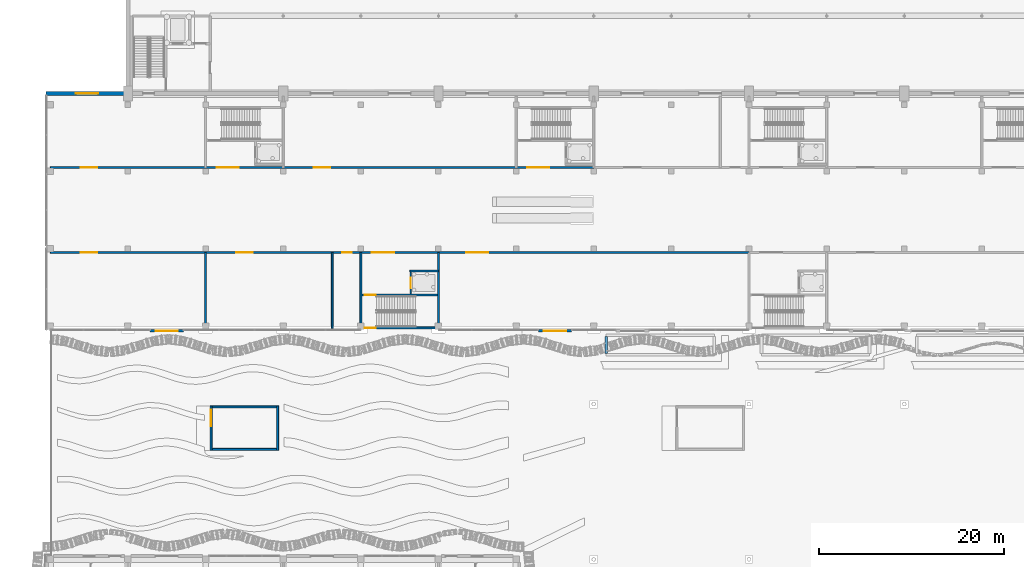
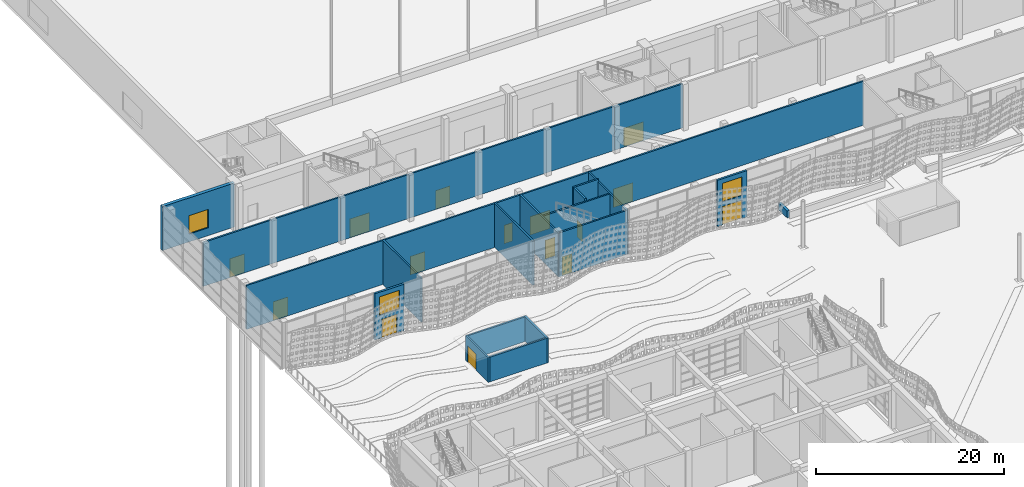
# One storey, part 103 of 210: 24 walls, 15 doors, 3 windows, 18 openings.
"""IFC4 building model written with IfcOpenShell, lengths in metres."""

from ifc_helpers import new_model, si_unit, direction, frame, frame_2d, origin, place, context, subcontext, project, spatial, rectangle, extrude, material, layer, layer_set, type_object, element, fill, save


model = new_model("IFC4")

# Units and contexts
model_context = context("Model", 3, precision=1e-05, world=origin(), true_north=direction((0.0, 1.0)))
body_context = subcontext(model_context, "Body", "Model", "MODEL_VIEW")
ifc_project = project(units=[si_unit("LENGTHUNIT", "METRE"), si_unit("AREAUNIT", "SQUARE_METRE"), si_unit("VOLUMEUNIT", "CUBIC_METRE"), si_unit("PLANEANGLEUNIT", "RADIAN"), si_unit("MASSUNIT", "GRAM", prefix="KILO")], contexts=[model_context])

# Site, building, storey
site_placement = place(None, origin())
site = spatial("IfcSite", under=ifc_project, at=site_placement, CompositionType="ELEMENT")
building_placement = place(site_placement, origin())
building = spatial("IfcBuilding", under=site, at=building_placement, Name="Rain Tree Exposition and Congress Centre", CompositionType="ELEMENT")
storey_placement = place(building_placement, origin())
storey = spatial("IfcBuildingStorey", under=building, at=storey_placement, Name="L00", CompositionType="ELEMENT", Elevation=0.0)

# Wall
ifc_material_1 = material(Name="Hollow blockwork partition", Category="masonry")
ifc_layer_1 = layer(ifc_material_1, 0.199951171875)
ifc_layer_set_1 = layer_set([ifc_layer_1], Name="Hollow blockwork partition")
wall_type_1 = type_object("IfcWallType", Name="Concourse blockwork partition 200", PredefinedType="PARTITIONING", material=ifc_layer_set_1)
wall_1_placement = place(storey_placement, frame((16.800048828125, 75.39990234375, 0.0), z_axis=(0.0, 0.0, 1.0), x_axis=(0.0, 1.0, 0.0)))
element("IfcWall", 1, at=wall_1_placement, inside=storey, type_object=wall_type_1, Name="Concourse partition L00", PredefinedType="PARTITIONING", context=body_context, shape_type="SweptSolid", body=[
    extrude(rectangle(XDim=8.2001953125, YDim=0.199951171875, at=frame_2d((4.10009765625, 0.0))), origin(), (0.0, 0.0, 1.0), 5.699951171875),
])

# Wall, opening, door
wall_2_placement = place(storey_placement, frame((0.0, 83.60009765625, 0.0), z_axis=(0.0, 0.0, 1.0), x_axis=(1.0, 0.0, 0.0)))
wall_2 = element("IfcWall", 2, at=wall_2_placement, inside=storey, type_object=wall_type_1, Name="Concourse room front L00", PredefinedType="PARTITIONING", context=body_context, shape_type="SweptSolid", body=[
    extrude(rectangle(XDim=16.800048828125, YDim=0.199951171875, at=frame_2d((8.39990234375, 0.0))), origin(), (0.0, 0.0, 1.0), 5.699951171875),
])
opening_1_placement = place(wall_2_placement, frame((3.300048828125, 0.0, 0.0)))
opening_1 = element("IfcOpeningElement", 3, at=opening_1_placement, cuts=wall_2, Name="Opening DC020", PredefinedType="OPENING", context=body_context, shape_type="SweptSolid", body=[
    extrude(rectangle(XDim=1.800048828125, YDim=2.39990234375, at=frame_2d((0.89990234375, 1.199951171875))), frame((0.0, 0.10009765625, 0.0), z_axis=(0.0, -1.0, 0.0), x_axis=(1.0, 0.0, 0.0)), (0.0, 0.0, 1.0), 0.199951171875),
])
ifc_material_2 = material(Name="Aluminium framed glazed door", Category="aluminium")
door_type_1 = type_object("IfcDoorType", Name="Concourse double door 1800x2400", OperationType="DOUBLE_DOOR_DOUBLE_SWING", PredefinedType="DOOR", material=ifc_material_2)
door_1_placement = place(opening_1_placement, origin())
door_1 = element("IfcDoor", 4, at=door_1_placement, inside=storey, type_object=door_type_1, Name="Room door DC020", OperationType="DOUBLE_DOOR_DOUBLE_SWING", OverallHeight=2.39990234375, OverallWidth=1.800048828125, PredefinedType="DOOR", context=body_context, shape_type="SweptSolid", body=[
    extrude(rectangle(XDim=1.800048828125, YDim=2.39990234375, at=frame_2d((0.89990234375, 1.199951171875))), frame((0.0, 0.02490234375, 0.0), z_axis=(0.0, -1.0, 0.0), x_axis=(1.0, 0.0, 0.0)), (0.0, 0.0, 1.0), 0.050048828125),
])
fill(opening_1, door_1)

# Wall, openings, doors
wall_3_placement = place(storey_placement, frame((16.800048828125, 83.60009765625, 0.0), z_axis=(0.0, 0.0, 1.0), x_axis=(1.0, 0.0, 0.0)))
wall_3 = element("IfcWall", 5, at=wall_3_placement, inside=storey, type_object=wall_type_1, Name="Concourse room front L00", PredefinedType="PARTITIONING", context=body_context, shape_type="SweptSolid", body=[
    extrude(rectangle(XDim=16.800048828125, YDim=0.199951171875, at=frame_2d((8.39990234375, 0.0))), origin(), (0.0, 0.0, 1.0), 5.699951171875),
])
opening_2_placement = place(wall_3_placement, frame((3.300048828125, 0.0, 0.0)))
opening_2 = element("IfcOpeningElement", 6, at=opening_2_placement, cuts=wall_3, Name="Opening DC021", PredefinedType="OPENING", context=body_context, shape_type="SweptSolid", body=[
    extrude(rectangle(XDim=1.800048828125, YDim=2.39990234375, at=frame_2d((0.89990234375, 1.199951171875))), frame((0.0, 0.10009765625, 0.0), z_axis=(0.0, -1.0, 0.0), x_axis=(1.0, 0.0, 0.0)), (0.0, 0.0, 1.0), 0.199951171875),
])
opening_3_placement = place(wall_3_placement, frame((14.800048828125, 0.0, 0.0)))
opening_3 = element("IfcOpeningElement", 7, at=opening_3_placement, cuts=wall_3, Name="Opening DC022", PredefinedType="OPENING", context=body_context, shape_type="SweptSolid", body=[
    extrude(rectangle(XDim=1.0, YDim=2.39990234375, at=frame_2d((0.5, 1.199951171875))), frame((0.0, 0.10009765625, 0.0), z_axis=(0.0, -1.0, 0.0), x_axis=(1.0, 0.0, 0.0)), (0.0, 0.0, 1.0), 0.199951171875),
])
door_2_placement = place(opening_2_placement, origin())
door_2 = element("IfcDoor", 8, at=door_2_placement, inside=storey, type_object=door_type_1, Name="Room door DC021", OperationType="DOUBLE_DOOR_DOUBLE_SWING", OverallHeight=2.39990234375, OverallWidth=1.800048828125, PredefinedType="DOOR", context=body_context, shape_type="SweptSolid", body=[
    extrude(rectangle(XDim=1.800048828125, YDim=2.39990234375, at=frame_2d((0.89990234375, 1.199951171875))), frame((0.0, 0.02490234375, 0.0), z_axis=(0.0, -1.0, 0.0), x_axis=(1.0, 0.0, 0.0)), (0.0, 0.0, 1.0), 0.050048828125),
])
fill(opening_2, door_2)
ifc_material_3 = material(Name="Aluminium framed glazed door", Category="aluminium")
door_type_2 = type_object("IfcDoorType", Name="Concourse single door 1000x2400", OperationType="NOTDEFINED", PredefinedType="DOOR", material=ifc_material_3)
door_3_placement = place(opening_3_placement, origin())
door_3 = element("IfcDoor", 9, at=door_3_placement, inside=storey, type_object=door_type_2, Name="Accessible WC door DC022", OperationType="SINGLE_SWING_RIGHT", OverallHeight=2.39990234375, OverallWidth=1.0, PredefinedType="DOOR", context=body_context, shape_type="SweptSolid", body=[
    extrude(rectangle(XDim=1.0, YDim=2.39990234375, at=frame_2d((0.5, 1.199951171875))), frame((0.0, 0.02490234375, 0.0), z_axis=(0.0, -1.0, 0.0), x_axis=(1.0, 0.0, 0.0)), (0.0, 0.0, 1.0), 0.050048828125),
])
fill(opening_3, door_3)

# Wall
wall_4_placement = place(storey_placement, frame((30.5, 75.39990234375, 0.0), z_axis=(0.0, 0.0, 1.0), x_axis=(0.0, 1.0, 0.0)))
element("IfcWall", 10, at=wall_4_placement, inside=storey, type_object=wall_type_1, Name="Accessible WC partition", PredefinedType="PARTITIONING", context=body_context, shape_type="SweptSolid", body=[
    extrude(rectangle(XDim=8.2001953125, YDim=0.199951171875, at=frame_2d((4.10009765625, 0.0))), origin(), (0.0, 0.0, 1.0), 5.699951171875),
])

# Wall, opening, door
wall_5_placement = place(storey_placement, frame((42.0, 83.60009765625, 0.0), z_axis=(0.0, 0.0, 1.0), x_axis=(1.0, 0.0, 0.0)))
wall_5 = element("IfcWall", 11, at=wall_5_placement, inside=storey, type_object=wall_type_1, Name="Concourse room front L00", PredefinedType="PARTITIONING", context=body_context, shape_type="SweptSolid", body=[
    extrude(rectangle(XDim=33.60009765625, YDim=0.199951171875, at=frame_2d((16.800048828125, 0.0))), origin(), (0.0, 0.0, 1.0), 5.699951171875),
])
opening_4_placement = place(wall_5_placement, frame((3.0, 0.0, 0.0)))
opening_4 = element("IfcOpeningElement", 12, at=opening_4_placement, cuts=wall_5, Name="Opening DC023", PredefinedType="OPENING", context=body_context, shape_type="SweptSolid", body=[
    extrude(rectangle(XDim=2.39990234375, YDim=2.39990234375, at=frame_2d((1.199951171875, 1.199951171875))), frame((0.0, 0.10009765625, 0.0), z_axis=(0.0, -1.0, 0.0), x_axis=(1.0, 0.0, 0.0)), (0.0, 0.0, 1.0), 0.199951171875),
])
ifc_material_4 = material(Name="Aluminium framed glazed door", Category="aluminium")
door_type_3 = type_object("IfcDoorType", Name="Concourse double door 2400x2400", OperationType="DOUBLE_DOOR_DOUBLE_SWING", PredefinedType="DOOR", material=ifc_material_4)
door_4_placement = place(opening_4_placement, origin())
door_4 = element("IfcDoor", 13, at=door_4_placement, inside=storey, type_object=door_type_3, Name="Room door DC023", OperationType="DOUBLE_DOOR_DOUBLE_SWING", OverallHeight=2.39990234375, OverallWidth=2.39990234375, PredefinedType="DOOR", context=body_context, shape_type="SweptSolid", body=[
    extrude(rectangle(XDim=2.39990234375, YDim=2.39990234375, at=frame_2d((1.199951171875, 1.199951171875))), frame((0.0, 0.02490234375, 0.0), z_axis=(0.0, -1.0, 0.0), x_axis=(1.0, 0.0, 0.0)), (0.0, 0.0, 1.0), 0.050048828125),
])
fill(opening_4, door_4)

wall_6_placement = place(storey_placement, frame((25.199951171875, 92.800048828125, 0.0), z_axis=(0.0, 0.0, 1.0), x_axis=(1.0, 0.0, 0.0)))
wall_6 = element("IfcWall", 14, at=wall_6_placement, inside=storey, type_object=wall_type_1, Name="Concourse room front L00", PredefinedType="PARTITIONING", context=body_context, shape_type="SweptSolid", body=[
    extrude(rectangle(XDim=25.199951171875, YDim=0.199951171875, at=frame_2d((12.60009765625, 0.0))), origin(), (0.0, 0.0, 1.0), 5.699951171875),
])
opening_5_placement = place(wall_6_placement, frame((3.300048828125, 0.0, 0.0)))
opening_5 = element("IfcOpeningElement", 15, at=opening_5_placement, cuts=wall_6, Name="Opening DC058", PredefinedType="OPENING", context=body_context, shape_type="SweptSolid", body=[
    extrude(rectangle(XDim=1.800048828125, YDim=2.39990234375, at=frame_2d((0.89990234375, 1.199951171875))), frame((0.0, 0.10009765625, 0.0), z_axis=(0.0, -1.0, 0.0), x_axis=(1.0, 0.0, 0.0)), (0.0, 0.0, 1.0), 0.199951171875),
])
door_5_placement = place(opening_5_placement, origin())
door_5 = element("IfcDoor", 16, at=door_5_placement, inside=storey, type_object=door_type_1, Name="Room door DC058", OperationType="DOUBLE_DOOR_DOUBLE_SWING", OverallHeight=2.39990234375, OverallWidth=1.800048828125, PredefinedType="DOOR", context=body_context, shape_type="SweptSolid", body=[
    extrude(rectangle(XDim=1.800048828125, YDim=2.39990234375, at=frame_2d((0.89990234375, 1.199951171875))), frame((0.0, 0.02490234375, 0.0), z_axis=(0.0, -1.0, 0.0), x_axis=(1.0, 0.0, 0.0)), (0.0, 0.0, 1.0), 0.050048828125),
])
fill(opening_5, door_5)

# Wall, openings, door, window
ifc_material_5 = material(Name="Concrete C40/50", Category="concrete")
ifc_layer_2 = layer(ifc_material_5, 0.25)
ifc_layer_set_2 = layer_set([ifc_layer_2], Name="Concrete C40/50")
wall_type_2 = type_object("IfcWallType", Name="Concourse entrance infill wall 250", PredefinedType="SOLIDWALL", material=ifc_layer_set_2)
wall_7_placement = place(storey_placement, frame((10.800048828125, 75.125, 0.0), z_axis=(0.0, 0.0, 1.0), x_axis=(1.0, 0.0, 0.0)))
wall_7 = element("IfcWall", 17, at=wall_7_placement, inside=storey, type_object=wall_type_2, Name="Concourse entrance infill wall", PredefinedType="SOLIDWALL", context=body_context, shape_type="SweptSolid", body=[
    extrude(rectangle(XDim=3.599853515625, YDim=0.25, at=frame_2d((1.7998046875, 0.0))), origin(), (0.0, 0.0, 1.0), 6.0),
])
opening_6_placement = place(wall_7_placement, frame((0.89990234375, 0.0, 0.0)))
opening_6 = element("IfcOpeningElement", 18, at=opening_6_placement, cuts=wall_7, Name="Opening DC001", PredefinedType="OPENING", context=body_context, shape_type="SweptSolid", body=[
    extrude(rectangle(XDim=1.800048828125, YDim=2.39990234375, at=frame_2d((0.89990234375, 1.199951171875))), frame((0.0, 0.125, 0.0), z_axis=(0.0, -1.0, 0.0), x_axis=(1.0, 0.0, 0.0)), (0.0, 0.0, 1.0), 0.25),
])
opening_7_placement = place(wall_7_placement, frame((0.60009765625, 0.0, 3.0)))
opening_7 = element("IfcOpeningElement", 19, at=opening_7_placement, cuts=wall_7, Name="Opening WC108", PredefinedType="OPENING", context=body_context, shape_type="SweptSolid", body=[
    extrude(rectangle(XDim=2.39990234375, YDim=2.39990234375, at=frame_2d((1.199951171875, 1.199951171875))), frame((0.0, 0.125, 0.0), z_axis=(0.0, -1.0, 0.0), x_axis=(1.0, 0.0, 0.0)), (0.0, 0.0, 1.0), 0.25),
])
door_6_placement = place(opening_6_placement, origin())
door_6 = element("IfcDoor", 20, at=door_6_placement, inside=storey, type_object=door_type_1, Name="Room entrance door DC001", OperationType="DOUBLE_DOOR_DOUBLE_SWING", OverallHeight=2.39990234375, OverallWidth=1.800048828125, PredefinedType="DOOR", context=body_context, shape_type="SweptSolid", body=[
    extrude(rectangle(XDim=1.800048828125, YDim=2.39990234375, at=frame_2d((0.89990234375, 1.199951171875))), frame((0.0, 0.02490234375, 0.0), z_axis=(0.0, -1.0, 0.0), x_axis=(1.0, 0.0, 0.0)), (0.0, 0.0, 1.0), 0.050048828125),
])
fill(opening_6, door_6)
ifc_material_6 = material(Name="Aluminium framed glazing", Category="aluminium")
window_type = type_object("IfcWindowType", Name="Concourse fixed window 2400x2400", PartitioningType="SINGLE_PANEL", PredefinedType="WINDOW", material=ifc_material_6)
window_1_placement = place(opening_7_placement, origin())
window_1 = element("IfcWindow", 21, at=window_1_placement, inside=storey, type_object=window_type, Name="Entrance transom window", OverallHeight=2.39990234375, OverallWidth=2.39990234375, PartitioningType="SINGLE_PANEL", PredefinedType="WINDOW", context=body_context, shape_type="SweptSolid", body=[
    extrude(rectangle(XDim=2.39990234375, YDim=2.39990234375, at=frame_2d((1.199951171875, 1.199951171875))), frame((0.0, 0.030029296875, 0.0), z_axis=(0.0, -1.0, 0.0), x_axis=(1.0, 0.0, 0.0)), (0.0, 0.0, 1.0), 0.06005859375),
])
fill(opening_7, window_1)

wall_8_placement = place(storey_placement, frame((52.800048828125, 75.125, 0.0), z_axis=(0.0, 0.0, 1.0), x_axis=(1.0, 0.0, 0.0)))
wall_8 = element("IfcWall", 22, at=wall_8_placement, inside=storey, type_object=wall_type_2, Name="Concourse entrance infill wall", PredefinedType="SOLIDWALL", context=body_context, shape_type="SweptSolid", body=[
    extrude(rectangle(XDim=3.599853515625, YDim=0.25, at=frame_2d((1.7998046875, 0.0))), origin(), (0.0, 0.0, 1.0), 6.0),
])
opening_8_placement = place(wall_8_placement, frame((0.60009765625, 0.0, 0.0)))
opening_8 = element("IfcOpeningElement", 23, at=opening_8_placement, cuts=wall_8, Name="Opening DC002", PredefinedType="OPENING", context=body_context, shape_type="SweptSolid", body=[
    extrude(rectangle(XDim=2.39990234375, YDim=2.39990234375, at=frame_2d((1.199951171875, 1.199951171875))), frame((0.0, 0.125, 0.0), z_axis=(0.0, -1.0, 0.0), x_axis=(1.0, 0.0, 0.0)), (0.0, 0.0, 1.0), 0.25),
])
opening_9_placement = place(wall_8_placement, frame((0.60009765625, 0.0, 3.0)))
opening_9 = element("IfcOpeningElement", 24, at=opening_9_placement, cuts=wall_8, Name="Opening WC528", PredefinedType="OPENING", context=body_context, shape_type="SweptSolid", body=[
    extrude(rectangle(XDim=2.39990234375, YDim=2.39990234375, at=frame_2d((1.199951171875, 1.199951171875))), frame((0.0, 0.125, 0.0), z_axis=(0.0, -1.0, 0.0), x_axis=(1.0, 0.0, 0.0)), (0.0, 0.0, 1.0), 0.25),
])
door_7_placement = place(opening_8_placement, origin())
door_7 = element("IfcDoor", 25, at=door_7_placement, inside=storey, type_object=door_type_3, Name="Room entrance door DC002", OperationType="DOUBLE_DOOR_DOUBLE_SWING", OverallHeight=2.39990234375, OverallWidth=2.39990234375, PredefinedType="DOOR", context=body_context, shape_type="SweptSolid", body=[
    extrude(rectangle(XDim=2.39990234375, YDim=2.39990234375, at=frame_2d((1.199951171875, 1.199951171875))), frame((0.0, 0.02490234375, 0.0), z_axis=(0.0, -1.0, 0.0), x_axis=(1.0, 0.0, 0.0)), (0.0, 0.0, 1.0), 0.050048828125),
])
fill(opening_8, door_7)
window_2_placement = place(opening_9_placement, origin())
window_2 = element("IfcWindow", 26, at=window_2_placement, inside=storey, type_object=window_type, Name="Entrance transom window", OverallHeight=2.39990234375, OverallWidth=2.39990234375, PartitioningType="SINGLE_PANEL", PredefinedType="WINDOW", context=body_context, shape_type="SweptSolid", body=[
    extrude(rectangle(XDim=2.39990234375, YDim=2.39990234375, at=frame_2d((1.199951171875, 1.199951171875))), frame((0.0, 0.030029296875, 0.0), z_axis=(0.0, -1.0, 0.0), x_axis=(1.0, 0.0, 0.0)), (0.0, 0.0, 1.0), 0.06005859375),
])
fill(opening_9, window_2)

# Wall, opening, door
ifc_material_7 = material(Name="Concrete C40/50", Category="concrete")
ifc_layer_3 = layer(ifc_material_7, 0.199951171875)
ifc_layer_set_3 = layer_set([ifc_layer_3], Name="Concrete C40/50")
wall_type_3 = type_object("IfcWallType", Name="Concourse fire-rated partition 200", PredefinedType="PARTITIONING", material=ifc_layer_set_3)
wall_9_placement = place(storey_placement, frame((0.0, 92.800048828125, 0.0), z_axis=(0.0, 0.0, 1.0), x_axis=(1.0, 0.0, 0.0)))
wall_9 = element("IfcWall", 27, at=wall_9_placement, inside=storey, type_object=wall_type_3, Name="Concourse room front L00", PredefinedType="PARTITIONING", context=body_context, shape_type="SweptSolid", body=[
    extrude(rectangle(XDim=16.800048828125, YDim=0.199951171875, at=frame_2d((8.39990234375, 0.0))), origin(), (0.0, 0.0, 1.0), 5.699951171875),
])
opening_10_placement = place(wall_9_placement, frame((3.300048828125, 0.0, 0.0)))
opening_10 = element("IfcOpeningElement", 28, at=opening_10_placement, cuts=wall_9, Name="Opening DC057", PredefinedType="OPENING", context=body_context, shape_type="SweptSolid", body=[
    extrude(rectangle(XDim=1.800048828125, YDim=2.39990234375, at=frame_2d((0.89990234375, 1.199951171875))), frame((0.0, 0.10009765625, 0.0), z_axis=(0.0, -1.0, 0.0), x_axis=(1.0, 0.0, 0.0)), (0.0, 0.0, 1.0), 0.199951171875),
])
door_8_placement = place(opening_10_placement, origin())
door_8 = element("IfcDoor", 29, at=door_8_placement, inside=storey, type_object=door_type_1, Name="Room door DC057", OperationType="DOUBLE_DOOR_DOUBLE_SWING", OverallHeight=2.39990234375, OverallWidth=1.800048828125, PredefinedType="DOOR", context=body_context, shape_type="SweptSolid", body=[
    extrude(rectangle(XDim=1.800048828125, YDim=2.39990234375, at=frame_2d((0.89990234375, 1.199951171875))), frame((0.0, 0.02490234375, 0.0), z_axis=(0.0, -1.0, 0.0), x_axis=(1.0, 0.0, 0.0)), (0.0, 0.0, 1.0), 0.050048828125),
])
fill(opening_10, door_8)

# Wall, opening, window
ifc_material_8 = material(Name="Concrete C40/50", Category="concrete")
ifc_layer_4 = layer(ifc_material_8, 0.39990234375)
ifc_layer_set_4 = layer_set([ifc_layer_4], Name="Concrete C40/50")
wall_type_4 = type_object("IfcWallType", Name="Concourse north wall 400", PredefinedType="SOLIDWALL", material=ifc_layer_set_4)
wall_10_placement = place(storey_placement, frame((-0.449951171875, 100.800048828125, 0.0), z_axis=(0.0, 0.0, 1.0), x_axis=(1.0, 0.0, 0.0)))
wall_10 = element("IfcWall", 30, at=wall_10_placement, inside=storey, type_object=wall_type_4, Name="Concourse north wall", PredefinedType="SOLIDWALL", context=body_context, shape_type="SweptSolid", body=[
    extrude(rectangle(XDim=8.849853515625, YDim=0.39990234375, at=frame_2d((4.4248046875, 0.0))), origin(), (0.0, 0.0, 1.0), 5.699951171875),
])
opening_11_placement = place(wall_10_placement, frame((3.22509765625, 0.0, 1.0)))
opening_11 = element("IfcOpeningElement", 31, at=opening_11_placement, cuts=wall_10, Name="Opening WN0000", PredefinedType="OPENING", context=body_context, shape_type="SweptSolid", body=[
    extrude(rectangle(XDim=2.39990234375, YDim=2.39990234375, at=frame_2d((1.199951171875, 1.199951171875))), frame((0.0, 0.199951171875, 0.0), z_axis=(0.0, -1.0, 0.0), x_axis=(1.0, 0.0, 0.0)), (0.0, 0.0, 1.0), 0.39990234375),
])
window_3_placement = place(opening_11_placement, origin())
window_3 = element("IfcWindow", 32, at=window_3_placement, inside=storey, type_object=window_type, Name="North wall window", OverallHeight=2.39990234375, OverallWidth=2.39990234375, PartitioningType="SINGLE_PANEL", PredefinedType="WINDOW", context=body_context, shape_type="SweptSolid", body=[
    extrude(rectangle(XDim=2.39990234375, YDim=2.39990234375, at=frame_2d((1.199951171875, 1.199951171875))), frame((0.0, 0.030029296875, 0.0), z_axis=(0.0, -1.0, 0.0), x_axis=(1.0, 0.0, 0.0)), (0.0, 0.0, 1.0), 0.06005859375),
])
fill(opening_11, window_3)

# Walls
ifc_material_9 = material(Name="Concrete C40/50", Category="concrete")
ifc_layer_5 = layer(ifc_material_9, 0.199951171875)
ifc_layer_set_5 = layer_set([ifc_layer_5], Name="Concrete C40/50")
wall_type_5 = type_object("IfcWallType", Name="Concourse shaft and core wall 200", PredefinedType="SOLIDWALL", material=ifc_layer_set_5)
for number, where, z_axis, x_axis, name in (
    (33, (33.60009765625, 75.39990234375, 0.0), (0.0, 0.0, 1.0), (0.0, 1.0, 0.0), "Concourse core wall L00"),
    (34, (42.0, 75.39990234375, 0.0), (0.0, 0.0, 1.0), (0.0, 1.0, 0.0), "Concourse core wall L00"),
):
    element("IfcWall", number, at=place(storey_placement, frame(where, z_axis=z_axis, x_axis=x_axis)), inside=storey, type_object=wall_type_5, Name=name, PredefinedType="SOLIDWALL", context=body_context, shape_type="SweptSolid", body=[
        extrude(rectangle(XDim=8.2001953125, YDim=0.199951171875, at=frame_2d((4.10009765625, 0.0))), origin(), (0.0, 0.0, 1.0), 5.699951171875),
    ])

# Wall, opening, door
wall_11_placement = place(storey_placement, frame((33.60009765625, 83.60009765625, 0.0), z_axis=(0.0, 0.0, 1.0), x_axis=(1.0, 0.0, 0.0)))
wall_11 = element("IfcWall", 35, at=wall_11_placement, inside=storey, type_object=wall_type_5, Name="Concourse lobby front L00", PredefinedType="SOLIDWALL", context=body_context, shape_type="SweptSolid", body=[
    extrude(rectangle(XDim=8.39990234375, YDim=0.199951171875, at=frame_2d((4.199951171875, 0.0))), origin(), (0.0, 0.0, 1.0), 5.699951171875),
])
opening_12_placement = place(wall_11_placement, frame((1.199951171875, 0.0, 0.0)))
opening_12 = element("IfcOpeningElement", 36, at=opening_12_placement, cuts=wall_11, Name="Opening DC032", PredefinedType="OPENING", context=body_context, shape_type="SweptSolid", body=[
    extrude(rectangle(XDim=2.39990234375, YDim=2.39990234375, at=frame_2d((1.199951171875, 1.199951171875))), frame((0.0, 0.10009765625, 0.0), z_axis=(0.0, -1.0, 0.0), x_axis=(1.0, 0.0, 0.0)), (0.0, 0.0, 1.0), 0.199951171875),
])
door_9_placement = place(opening_12_placement, origin())
door_9 = element("IfcDoor", 37, at=door_9_placement, inside=storey, type_object=door_type_3, Name="Lobby exit door DC032", OperationType="DOUBLE_DOOR_DOUBLE_SWING", OverallHeight=2.39990234375, OverallWidth=2.39990234375, PredefinedType="DOOR", context=body_context, shape_type="SweptSolid", body=[
    extrude(rectangle(XDim=2.39990234375, YDim=2.39990234375, at=frame_2d((1.199951171875, 1.199951171875))), frame((0.0, 0.02490234375, 0.0), z_axis=(0.0, -1.0, 0.0), x_axis=(1.0, 0.0, 0.0)), (0.0, 0.0, 1.0), 0.050048828125),
])
fill(opening_12, door_9)

wall_12_placement = place(storey_placement, frame((16.800048828125, 92.800048828125, 0.0), z_axis=(0.0, 0.0, 1.0), x_axis=(1.0, 0.0, 0.0)))
wall_12 = element("IfcWall", 38, at=wall_12_placement, inside=storey, type_object=wall_type_5, Name="Concourse lobby front L00", PredefinedType="SOLIDWALL", context=body_context, shape_type="SweptSolid", body=[
    extrude(rectangle(XDim=8.39990234375, YDim=0.199951171875, at=frame_2d((4.199951171875, 0.0))), origin(), (0.0, 0.0, 1.0), 5.699951171875),
])
opening_13_placement = place(wall_12_placement, frame((1.199951171875, 0.0, 0.0)))
opening_13 = element("IfcOpeningElement", 39, at=opening_13_placement, cuts=wall_12, Name="Opening DC069", PredefinedType="OPENING", context=body_context, shape_type="SweptSolid", body=[
    extrude(rectangle(XDim=2.39990234375, YDim=2.39990234375, at=frame_2d((1.199951171875, 1.199951171875))), frame((0.0, 0.10009765625, 0.0), z_axis=(0.0, -1.0, 0.0), x_axis=(1.0, 0.0, 0.0)), (0.0, 0.0, 1.0), 0.199951171875),
])
door_10_placement = place(opening_13_placement, origin())
door_10 = element("IfcDoor", 40, at=door_10_placement, inside=storey, type_object=door_type_3, Name="Lobby exit door DC069", OperationType="DOUBLE_DOOR_DOUBLE_SWING", OverallHeight=2.39990234375, OverallWidth=2.39990234375, PredefinedType="DOOR", context=body_context, shape_type="SweptSolid", body=[
    extrude(rectangle(XDim=2.39990234375, YDim=2.39990234375, at=frame_2d((1.199951171875, 1.199951171875))), frame((0.0, 0.02490234375, 0.0), z_axis=(0.0, -1.0, 0.0), x_axis=(1.0, 0.0, 0.0)), (0.0, 0.0, 1.0), 0.050048828125),
])
fill(opening_13, door_10)

wall_13_placement = place(storey_placement, frame((50.39990234375, 92.800048828125, 0.0), z_axis=(0.0, 0.0, 1.0), x_axis=(1.0, 0.0, 0.0)))
wall_13 = element("IfcWall", 41, at=wall_13_placement, inside=storey, type_object=wall_type_5, Name="Concourse lobby front L00", PredefinedType="SOLIDWALL", context=body_context, shape_type="SweptSolid", body=[
    extrude(rectangle(XDim=8.400146484375, YDim=0.199951171875, at=frame_2d((4.2001953125, 0.0))), origin(), (0.0, 0.0, 1.0), 5.699951171875),
])
opening_14_placement = place(wall_13_placement, frame((1.199951171875, 0.0, 0.0)))
opening_14 = element("IfcOpeningElement", 42, at=opening_14_placement, cuts=wall_13, Name="Opening DC070", PredefinedType="OPENING", context=body_context, shape_type="SweptSolid", body=[
    extrude(rectangle(XDim=2.39990234375, YDim=2.39990234375, at=frame_2d((1.199951171875, 1.199951171875))), frame((0.0, 0.10009765625, 0.0), z_axis=(0.0, -1.0, 0.0), x_axis=(1.0, 0.0, 0.0)), (0.0, 0.0, 1.0), 0.199951171875),
])
door_11_placement = place(opening_14_placement, origin())
door_11 = element("IfcDoor", 43, at=door_11_placement, inside=storey, type_object=door_type_3, Name="Lobby exit door DC070", OperationType="DOUBLE_DOOR_DOUBLE_SWING", OverallHeight=2.39990234375, OverallWidth=2.39990234375, PredefinedType="DOOR", context=body_context, shape_type="SweptSolid", body=[
    extrude(rectangle(XDim=2.39990234375, YDim=2.39990234375, at=frame_2d((1.199951171875, 1.199951171875))), frame((0.0, 0.02490234375, 0.0), z_axis=(0.0, -1.0, 0.0), x_axis=(1.0, 0.0, 0.0)), (0.0, 0.0, 1.0), 0.050048828125),
])
fill(opening_14, door_11)

wall_14_placement = place(storey_placement, frame((33.60009765625, 75.449951171875, 0.0), z_axis=(0.0, 0.0, 1.0), x_axis=(1.0, 0.0, 0.0)))
wall_14 = element("IfcWall", 44, at=wall_14_placement, inside=storey, type_object=wall_type_5, Name="Concourse stair wall L00", PredefinedType="SOLIDWALL", context=body_context, shape_type="SweptSolid", body=[
    extrude(rectangle(XDim=8.39990234375, YDim=0.199951171875, at=frame_2d((4.199951171875, 0.0))), origin(), (0.0, 0.0, 1.0), 5.699951171875),
])
opening_15_placement = place(wall_14_placement, frame((0.39990234375, 0.0, 0.0)))
opening_15 = element("IfcOpeningElement", 45, at=opening_15_placement, cuts=wall_14, Name="Opening DC092", PredefinedType="OPENING", context=body_context, shape_type="SweptSolid", body=[
    extrude(rectangle(XDim=1.199951171875, YDim=2.39990234375, at=frame_2d((0.60009765625, 1.199951171875))), frame((0.0, 0.10009765625, 0.0), z_axis=(0.0, -1.0, 0.0), x_axis=(1.0, 0.0, 0.0)), (0.0, 0.0, 1.0), 0.199951171875),
])
ifc_material_10 = material(Name="Aluminium framed glazed door", Category="aluminium")
door_type_4 = type_object("IfcDoorType", Name="Concourse single door 1200x2400", OperationType="NOTDEFINED", PredefinedType="DOOR", material=ifc_material_10)
door_12_placement = place(opening_15_placement, frame((1.199951171875, 0.0, 0.0), z_axis=(0.0, 0.0, 1.0), x_axis=(-1.0, 0.0, 0.0)))
door_12 = element("IfcDoor", 46, at=door_12_placement, inside=storey, type_object=door_type_4, Name="Stair exit door DC092", OperationType="SINGLE_SWING_RIGHT", OverallHeight=2.39990234375, OverallWidth=1.199951171875, PredefinedType="DOOR", context=body_context, shape_type="SweptSolid", body=[
    extrude(rectangle(XDim=1.199951171875, YDim=2.39990234375, at=frame_2d((0.60009765625, 1.199951171875))), frame((0.0, 0.02490234375, 0.0), z_axis=(0.0, -1.0, 0.0), x_axis=(1.0, 0.0, 0.0)), (0.0, 0.0, 1.0), 0.050048828125),
])
fill(opening_15, door_12)

wall_15_placement = place(storey_placement, frame((33.60009765625, 79.0, 0.0), z_axis=(0.0, 0.0, 1.0), x_axis=(1.0, 0.0, 0.0)))
wall_15 = element("IfcWall", 47, at=wall_15_placement, inside=storey, type_object=wall_type_5, Name="Concourse stair wall L00", PredefinedType="SOLIDWALL", context=body_context, shape_type="SweptSolid", body=[
    extrude(rectangle(XDim=8.39990234375, YDim=0.199951171875, at=frame_2d((4.199951171875, 0.0))), origin(), (0.0, 0.0, 1.0), 5.699951171875),
])
opening_16_placement = place(wall_15_placement, frame((0.39990234375, 0.0, 0.0)))
opening_16 = element("IfcOpeningElement", 48, at=opening_16_placement, cuts=wall_15, Name="Opening DC093", PredefinedType="OPENING", context=body_context, shape_type="SweptSolid", body=[
    extrude(rectangle(XDim=1.199951171875, YDim=2.39990234375, at=frame_2d((0.60009765625, 1.199951171875))), frame((0.0, 0.10009765625, 0.0), z_axis=(0.0, -1.0, 0.0), x_axis=(1.0, 0.0, 0.0)), (0.0, 0.0, 1.0), 0.199951171875),
])
door_13_placement = place(opening_16_placement, origin())
door_13 = element("IfcDoor", 49, at=door_13_placement, inside=storey, type_object=door_type_4, Name="Stair door DC093", OperationType="SINGLE_SWING_LEFT", OverallHeight=2.39990234375, OverallWidth=1.199951171875, PredefinedType="DOOR", context=body_context, shape_type="SweptSolid", body=[
    extrude(rectangle(XDim=1.199951171875, YDim=2.39990234375, at=frame_2d((0.60009765625, 1.199951171875))), frame((0.0, 0.02490234375, 0.0), z_axis=(0.0, -1.0, 0.0), x_axis=(1.0, 0.0, 0.0)), (0.0, 0.0, 1.0), 0.050048828125),
])
fill(opening_16, door_13)

wall_16_placement = place(storey_placement, frame((39.0, 79.10009765625, -1.39990234375), z_axis=(0.0, 0.0, 1.0), x_axis=(0.0, 1.0, 0.0)))
wall_16 = element("IfcWall", 50, at=wall_16_placement, inside=storey, type_object=wall_type_5, Name="Concourse lift shaft wall L00", PredefinedType="SOLIDWALL", context=body_context, shape_type="SweptSolid", body=[
    extrude(rectangle(XDim=2.599853515625, YDim=0.199951171875, at=frame_2d((1.2998046875, 0.0))), origin(), (0.0, 0.0, 1.0), 7.39990234375),
])
opening_17_placement = place(wall_16_placement, frame((0.64990234375, 0.0, 1.39990234375)))
opening_17 = element("IfcOpeningElement", 51, at=opening_17_placement, cuts=wall_16, Name="Opening DC095", PredefinedType="OPENING", context=body_context, shape_type="SweptSolid", body=[
    extrude(rectangle(XDim=1.10009765625, YDim=2.10009765625, at=frame_2d((0.550048828125, 1.050048828125))), frame((0.0, 0.10009765625, 0.0), z_axis=(0.0, -1.0, 0.0), x_axis=(1.0, 0.0, 0.0)), (0.0, 0.0, 1.0), 0.199951171875),
])
ifc_material_11 = material(Name="Stainless steel", Category="steel")
door_type_5 = type_object("IfcDoorType", Name="Lift landing door 1100x2100", OperationType="DOUBLE_DOOR_SLIDING", PredefinedType="DOOR", material=ifc_material_11)
door_14_placement = place(opening_17_placement, origin())
door_14 = element("IfcDoor", 52, at=door_14_placement, inside=storey, type_object=door_type_5, Name="Lift landing door DC095", OperationType="DOUBLE_DOOR_SLIDING", OverallHeight=2.10009765625, OverallWidth=1.10009765625, PredefinedType="DOOR", context=body_context, shape_type="SweptSolid", body=[
    extrude(rectangle(XDim=1.10009765625, YDim=2.10009765625, at=frame_2d((0.550048828125, 1.050048828125))), frame((0.0, 0.02490234375, 0.0), z_axis=(0.0, -1.0, 0.0), x_axis=(1.0, 0.0, 0.0)), (0.0, 0.0, 1.0), 0.050048828125),
])
fill(opening_17, door_14)

# Wall
wall_17_placement = place(storey_placement, frame((38.89990234375, 81.60009765625, -1.39990234375), z_axis=(0.0, 0.0, 1.0), x_axis=(1.0, 0.0, 0.0)))
element("IfcWall", 53, at=wall_17_placement, inside=storey, type_object=wall_type_5, Name="Concourse lift shaft wall L00", PredefinedType="SOLIDWALL", context=body_context, shape_type="SweptSolid", body=[
    extrude(rectangle(XDim=3.10009765625, YDim=0.199951171875, at=frame_2d((1.550048828125, 0.0))), origin(), (0.0, 0.0, 1.0), 7.39990234375),
])

# Wall, opening, door
ifc_material_12 = material(Name="Concrete C40/50", Category="concrete")
ifc_layer_6 = layer(ifc_material_12, 0.199951171875)
ifc_layer_set_6 = layer_set([ifc_layer_6], Name="Concrete C40/50")
wall_type_6 = type_object("IfcWallType", Name="Exit stair wall 200", PredefinedType="PARTITIONING", material=ifc_layer_set_6)
wall_18_placement = place(storey_placement, frame((17.39990234375, 62.199951171875, 0.0), z_axis=(0.0, 0.0, 1.0), x_axis=(0.0, 1.0, 0.0)))
wall_18 = element("IfcWall", 54, at=wall_18_placement, inside=storey, type_object=wall_type_6, Name="Exit stair E5 wall west", PredefinedType="SOLIDWALL", context=body_context, shape_type="SweptSolid", body=[
    extrude(rectangle(XDim=4.800048828125, YDim=0.199951171875, at=frame_2d((2.39990234375, 0.0))), origin(), (0.0, 0.0, 1.0), 3.199951171875),
])
opening_18_placement = place(wall_18_placement, frame((2.60009765625, 0.0, 0.0)))
opening_18 = element("IfcOpeningElement", 55, at=opening_18_placement, cuts=wall_18, Name="Opening DS138", PredefinedType="OPENING", context=body_context, shape_type="SweptSolid", body=[
    extrude(rectangle(XDim=1.800048828125, YDim=2.10009765625, at=frame_2d((0.89990234375, 1.050048828125))), frame((0.0, 0.10009765625, 0.0), z_axis=(0.0, -1.0, 0.0), x_axis=(1.0, 0.0, 0.0)), (0.0, 0.0, 1.0), 0.199951171875),
])
ifc_material_13 = material(Name="Powder-coated steel", Category="steel")
door_type_6 = type_object("IfcDoorType", Name="Exit stair deck door 1800x2100", OperationType="NOTDEFINED", PredefinedType="DOOR", material=ifc_material_13)
door_15_placement = place(opening_18_placement, origin())
door_15 = element("IfcDoor", 56, at=door_15_placement, inside=storey, type_object=door_type_6, Name="Exit stair E5 door L00", OperationType="SINGLE_SWING_LEFT", OverallHeight=2.10009765625, OverallWidth=1.800048828125, PredefinedType="DOOR", context=body_context, shape_type="SweptSolid", body=[
    extrude(rectangle(XDim=1.800048828125, YDim=2.10009765625, at=frame_2d((0.89990234375, 1.050048828125))), frame((0.0, 0.02490234375, 0.0), z_axis=(0.0, -1.0, 0.0), x_axis=(1.0, 0.0, 0.0)), (0.0, 0.0, 1.0), 0.050048828125),
])
fill(opening_18, door_15)

# Walls
wall_19_placement = place(storey_placement, frame((24.60009765625, 62.199951171875, 0.0), z_axis=(0.0, 0.0, 1.0), x_axis=(0.0, 1.0, 0.0)))
element("IfcWall", 57, at=wall_19_placement, inside=storey, type_object=wall_type_6, Name="Exit stair E5 wall east", PredefinedType="SOLIDWALL", context=body_context, shape_type="SweptSolid", body=[
    extrude(rectangle(XDim=4.800048828125, YDim=0.199951171875, at=frame_2d((2.39990234375, 0.0))), origin(), (0.0, 0.0, 1.0), 3.199951171875),
])
for number, where, z_axis, x_axis, name in (
    (58, (17.5, 62.300048828125, 0.0), (0.0, 0.0, 1.0), (1.0, 0.0, 0.0), "Exit stair E5 wall south"),
    (59, (17.5, 66.89990234375, 0.0), (0.0, 0.0, 1.0), (1.0, 0.0, 0.0), "Exit stair E5 wall north"),
):
    element("IfcWall", number, at=place(storey_placement, frame(where, z_axis=z_axis, x_axis=x_axis)), inside=storey, type_object=wall_type_6, Name=name, PredefinedType="SOLIDWALL", context=body_context, shape_type="SweptSolid", body=[
        extrude(rectangle(XDim=7.0, YDim=0.199951171875, at=frame_2d((3.5, 0.0))), origin(), (0.0, 0.0, 1.0), 3.199951171875),
    ])
ifc_material_14 = material(Name="Concrete C40/50", Category="concrete")
ifc_layer_7 = layer(ifc_material_14, 0.300048828125)
ifc_layer_set_7 = layer_set([ifc_layer_7], Name="Concrete C40/50")
wall_type_7 = type_object("IfcWallType", Name="Precast planter wall 300", PredefinedType="SOLIDWALL", material=ifc_layer_set_7)
wall_20_placement = place(storey_placement, frame((60.14990234375, 72.699951171875, 0.0), z_axis=(0.0, 0.0, 1.0), x_axis=(0.0, 1.0, 0.0)))
element("IfcWall", 60, at=wall_20_placement, inside=storey, type_object=wall_type_7, Name="Forecourt planter wall", PredefinedType="SOLIDWALL", context=body_context, shape_type="SweptSolid", body=[
    extrude(rectangle(XDim=1.800048828125, YDim=0.300048828125, at=frame_2d((0.89990234375, 0.0))), origin(), (0.0, 0.0, 1.0), 0.89990234375),
])

save(model, "model.ifc")
